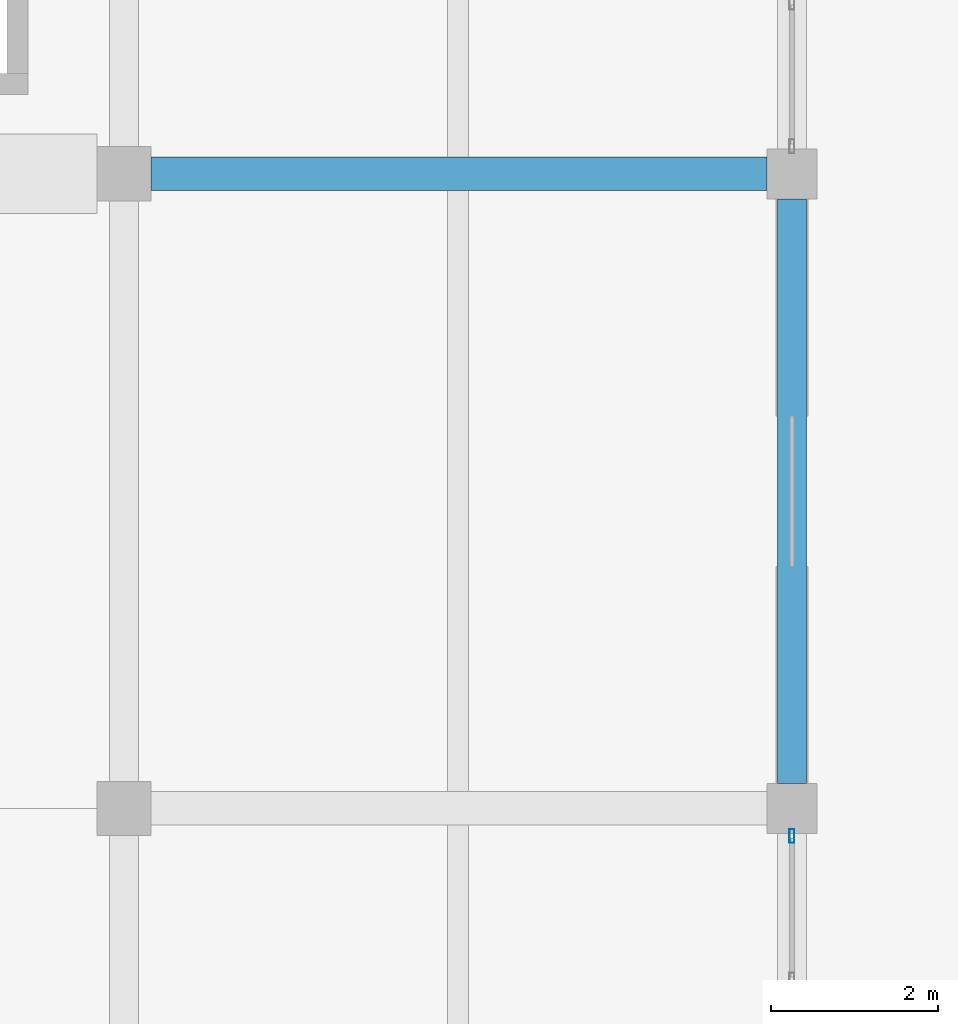
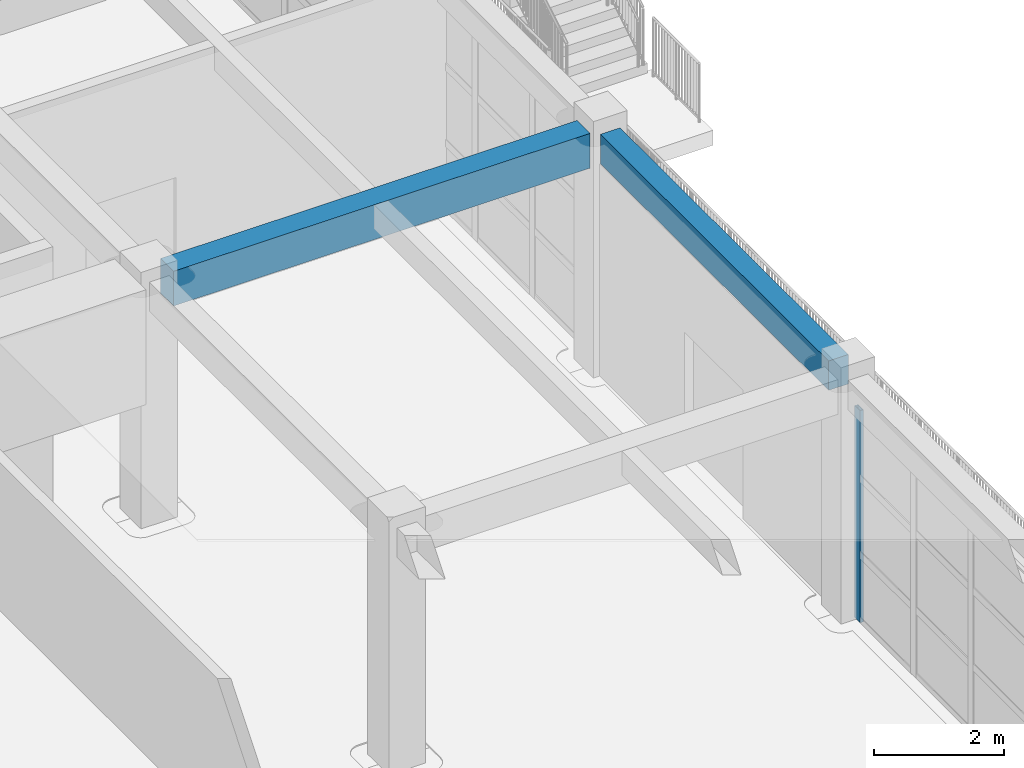
# One storey, part 24 of 50: 2 beams, 1 member, 1 element without a shape of its own.
"""IFC4 building model written with IfcOpenShell, lengths in metres."""

from ifc_helpers import new_model, si_unit, direction, frame, origin, origin_2d, place, context, subcontext, project, spatial, rectangle, hollow_rectangle, extrude, material, material_profile, profile_set, type_object, element, aggregate, save


model = new_model("IFC4")

# Units and contexts
model_context = context("Model", 3, precision=1e-05, world=origin(), true_north=direction((0.0, 1.0)))
body_context = subcontext(model_context, "Body", "Model", "MODEL_VIEW")
ifc_project = project(units=[si_unit("LENGTHUNIT", "METRE"), si_unit("AREAUNIT", "SQUARE_METRE"), si_unit("VOLUMEUNIT", "CUBIC_METRE"), si_unit("PLANEANGLEUNIT", "RADIAN"), si_unit("MASSUNIT", "GRAM", prefix="KILO")], contexts=[model_context])

# Site, building, storey
site_placement = place(None, origin())
site = spatial("IfcSite", under=ifc_project, at=site_placement, CompositionType="ELEMENT")
building_placement = place(site_placement, origin())
building = spatial("IfcBuilding", under=site, at=building_placement, Name="Zantavel Square City Hall", CompositionType="ELEMENT")
storey_placement = place(building_placement, frame((0.0, 0.0, 18.89990234375)))
storey = spatial("IfcBuildingStorey", under=building, at=storey_placement, Name="L05", CompositionType="ELEMENT", Elevation=18.89990234375)

# Curtain wall, member
ifc_material_1 = material(Name="Anodised aluminium 6063-T6", Category="aluminium")
curtain_wall_type = type_object("IfcCurtainWallType", Name="Curtain Wall TRV1 7000x3970", PredefinedType="USERDEFINED", material=ifc_material_1)
curtain_wall_placement = place(storey_placement, origin())
curtain_wall = element("IfcCurtainWall", 1, at=curtain_wall_placement, inside=storey, type_object=curtain_wall_type, Name="L05 Glazed Curtain Wall CW-L05-131", ObjectType="GLAZED CURTAIN WALL", PredefinedType="USERDEFINED")
ifc_material_profile_1 = material_profile(ifc_material_1, hollow_rectangle(XDim=0.06005859375, YDim=0.1650390625, WallThickness=0.00390625, at=origin_2d()), Name="ALU 60x165x4")
ifc_profile_set_1 = profile_set([ifc_material_profile_1], Name="Anodised aluminium 6063-T6")
member_type = type_object("IfcMemberType", Name="CW Council Gallery Mullion ALU 60x165x4", PredefinedType="MULLION", material=ifc_profile_set_1)
member_placement = place(storey_placement, frame((112.0, 45.27001953125, 0.0), z_axis=(0.0, 0.0, 1.0), x_axis=(1.0, 0.0, 0.0)))
member = element("IfcMember", 2, at=member_placement, type_object=member_type, Name="CW-131 mullion 1", PredefinedType="MULLION", context=body_context, shape_type="SweptSolid", body=[
    extrude(hollow_rectangle(XDim=0.06005859375, YDim=0.1650390625, WallThickness=0.00390625, at=origin_2d()), origin(), (0.0, 0.0, 1.0), 3.97021484375),
])
aggregate(curtain_wall, [member])

# Beams
ifc_material_2 = material(Name="Concrete C35/45", Category="concrete")
ifc_material_profile_2 = material_profile(ifc_material_2, rectangle(XDim=0.39990234375, YDim=0.64990234375, at=origin_2d()), Name="RC 400x650")
ifc_profile_set_2 = profile_set([ifc_material_profile_2], Name="Concrete C35/45")
beam_type_1 = type_object("IfcBeamType", Name="Frame Beam RC 400x650 C35/45", PredefinedType="BEAM", material=ifc_profile_set_2)
beam_1_placement = place(storey_placement, frame((104.324951171875, 53.199951171875, 4.195068359375), z_axis=(1.0, 0.0, 0.0), x_axis=(0.0, 1.0, 0.0)))
element("IfcBeam", 3, at=beam_1_placement, inside=storey, type_object=beam_type_1, Name="L05 Girder BMX-L05-1040-0532", PredefinedType="BEAM", context=body_context, shape_type="SweptSolid", body=[
    extrude(rectangle(XDim=0.39990234375, YDim=0.64990234375, at=origin_2d()), origin(), (0.0, 0.0, 1.0), 7.375),
])
ifc_material_profile_3 = material_profile(ifc_material_2, rectangle(XDim=0.35009765625, YDim=0.550048828125, at=origin_2d()), Name="RC 350x550")
ifc_profile_set_3 = profile_set([ifc_material_profile_3], Name="Concrete C35/45")
beam_type_2 = type_object("IfcBeamType", Name="Secondary Beam RC 350x550 C35/45", PredefinedType="BEAM", material=ifc_profile_set_3)
beam_2_placement = place(storey_placement, frame((112.0, 45.89990234375, 4.2451171875), z_axis=(0.0, 1.0, 0.0), x_axis=(-1.0, 0.0, 0.0)))
element("IfcBeam", 4, at=beam_2_placement, inside=storey, type_object=beam_type_2, Name="L05 Beam BMY-L05-1120-0456", PredefinedType="BEAM", context=body_context, shape_type="SweptSolid", body=[
    extrude(rectangle(XDim=0.35009765625, YDim=0.550048828125, at=origin_2d()), origin(), (0.0, 0.0, 1.0), 7.0),
])

save(model, "model.ifc")
